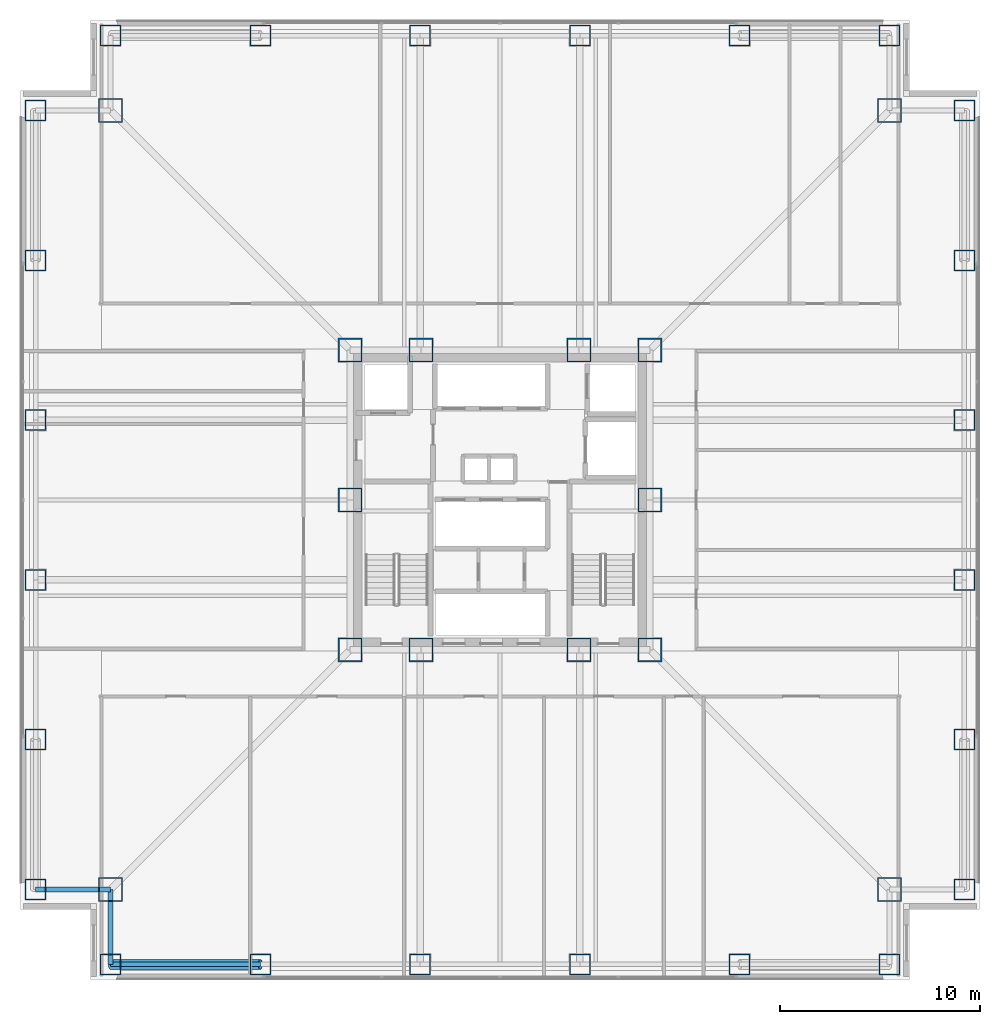
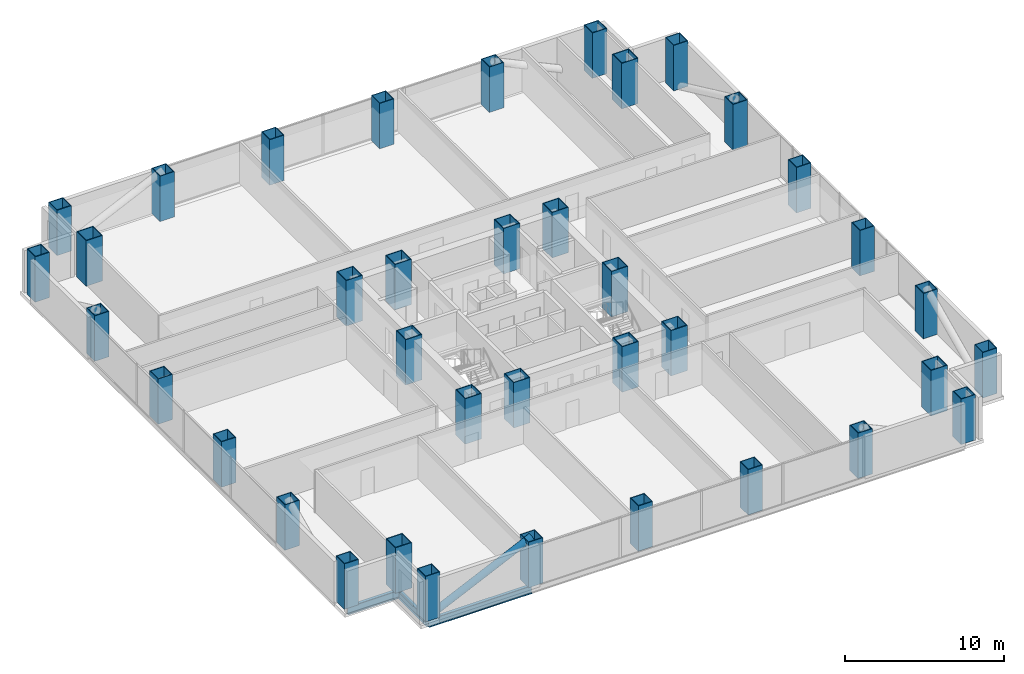
# One storey, part 1 of 15: 38 columns, 3 beams, 1 member.
"""IFC4 building model written with IfcOpenShell, lengths in metres."""

from ifc_helpers import new_model, si_unit, direction, frame, origin, origin_2d, place, context, subcontext, project, spatial, hollow_rectangle, hollow_circle, i_section, extrude, material, material_profile, profile_set, type_object, element, save


model = new_model("IFC4")

# Units and contexts
model_context = context("Model", 3, precision=1e-05, world=origin(), true_north=direction((0.0, 1.0)))
body_context = subcontext(model_context, "Body", "Model", "MODEL_VIEW")
ifc_project = project(units=[si_unit("LENGTHUNIT", "METRE"), si_unit("AREAUNIT", "SQUARE_METRE"), si_unit("VOLUMEUNIT", "CUBIC_METRE"), si_unit("PLANEANGLEUNIT", "RADIAN"), si_unit("MASSUNIT", "GRAM", prefix="KILO")], contexts=[model_context])

# Site, building, storey
site_placement = place(None, origin())
site = spatial("IfcSite", under=ifc_project, at=site_placement, CompositionType="ELEMENT")
building_placement = place(site_placement, origin())
building = spatial("IfcBuilding", under=site, at=building_placement, Name="Trevonay Congress Spire", CompositionType="ELEMENT")
storey_placement = place(building_placement, frame((0.0, 0.0, 44.5)))
storey = spatial("IfcBuildingStorey", under=building, at=storey_placement, Name="L10", CompositionType="ELEMENT", Elevation=44.5)

# Columns
ifc_material = material(Name="Steel ASTM A572 Grade 50", Category="steel")
ifc_material_profile_1 = material_profile(ifc_material, hollow_rectangle(XDim=1.199951171875, YDim=1.199951171875, WallThickness=0.054931640625, at=origin_2d()), Name="BOX 1200x1200x55")
ifc_profile_set_1 = profile_set([ifc_material_profile_1], Name="Steel ASTM A572 Grade 50")
column_type_1 = type_object("IfcColumnType", Name="COL-CORE-BOX1200", PredefinedType="COLUMN", material=ifc_profile_set_1)
for number, where, z_axis, x_axis, name in (
    (1, (-7.5, -7.5, 0.0), (0.0, 0.0, 1.0), (1.0, 0.0, 0.0), "L10 column C02 at CC-SW"),
    (2, (-3.949951171875, -7.5, 0.0), (0.0, 0.0, 1.0), (1.0, 0.0, 0.0), "L10 column C02 at CC-SMW"),
    (3, (3.949951171875, -7.5, 0.0), (0.0, 0.0, 1.0), (1.0, 0.0, 0.0), "L10 column C02 at CC-SME"),
    (4, (7.5, -7.5, 0.0), (0.0, 0.0, 1.0), (1.0, 0.0, 0.0), "L10 column C02 at CC-SE"),
    (5, (7.5, 0.0, 0.0), (0.0, 0.0, 1.0), (1.0, 0.0, 0.0), "L10 column C02 at CC-E"),
    (6, (7.5, 7.5, 0.0), (0.0, 0.0, 1.0), (1.0, 0.0, 0.0), "L10 column C02 at CC-NE"),
    (7, (3.949951171875, 7.5, 0.0), (0.0, 0.0, 1.0), (1.0, 0.0, 0.0), "L10 column C02 at CC-NME"),
    (8, (-3.949951171875, 7.5, 0.0), (0.0, 0.0, 1.0), (1.0, 0.0, 0.0), "L10 column C02 at CC-NMW"),
    (9, (-7.5, 7.5, 0.0), (0.0, 0.0, 1.0), (1.0, 0.0, 0.0), "L10 column C02 at CC-NW"),
    (10, (-7.5, 0.0, 0.0), (0.0, 0.0, 1.0), (1.0, 0.0, 0.0), "L10 column C02 at CC-W"),
):
    element("IfcColumn", number, at=place(storey_placement, frame(where, z_axis=z_axis, x_axis=x_axis)), inside=storey, type_object=column_type_1, Name=name, PredefinedType="COLUMN", context=body_context, shape_type="SweptSolid", body=[
        extrude(hollow_rectangle(XDim=1.199951171875, YDim=1.199951171875, WallThickness=0.054931640625, at=origin_2d()), origin(), (0.0, 0.0, 1.0), 3.5),
    ])
ifc_material_profile_2 = material_profile(ifc_material, hollow_rectangle(XDim=1.199951171875, YDim=1.199951171875, WallThickness=0.054931640625, at=origin_2d()), Name="BOX 1200x1200x55")
ifc_profile_set_2 = profile_set([ifc_material_profile_2], Name="Steel ASTM A572 Grade 50")
column_type_2 = type_object("IfcColumnType", Name="COL-NOTCH-BOX1200", PredefinedType="COLUMN", material=ifc_profile_set_2)
for number, where, z_axis, x_axis, name in (
    (11, (-19.5, -19.5, 0.0), (0.0, 0.0, 1.0), (1.0, 0.0, 0.0), "L10 column C19 at NC-SW"),
    (12, (19.5, -19.5, 0.0), (0.0, 0.0, 1.0), (1.0, 0.0, 0.0), "L10 column C19 at NC-SE"),
    (13, (19.5, 19.5, 0.0), (0.0, 0.0, 1.0), (1.0, 0.0, 0.0), "L10 column C19 at NC-NE"),
    (14, (-19.5, 19.5, 0.0), (0.0, 0.0, 1.0), (1.0, 0.0, 0.0), "L10 column C19 at NC-NW"),
):
    element("IfcColumn", number, at=place(storey_placement, frame(where, z_axis=z_axis, x_axis=x_axis)), inside=storey, type_object=column_type_2, Name=name, PredefinedType="COLUMN", context=body_context, shape_type="SweptSolid", body=[
        extrude(hollow_rectangle(XDim=1.199951171875, YDim=1.199951171875, WallThickness=0.054931640625, at=origin_2d()), origin(), (0.0, 0.0, 1.0), 3.5),
    ])
ifc_material_profile_3 = material_profile(ifc_material, hollow_rectangle(XDim=1.050048828125, YDim=1.050048828125, WallThickness=0.050048828125, at=origin_2d()), Name="BOX 1050x1050x50")
ifc_profile_set_3 = profile_set([ifc_material_profile_3], Name="Steel ASTM A572 Grade 50")
column_type_3 = type_object("IfcColumnType", Name="COL-TUBE-BOX1050", PredefinedType="COLUMN", material=ifc_profile_set_3)
for number, where, z_axis, x_axis, name in (
    (15, (-19.5, -23.25, 0.0), (0.0, 0.0, 1.0), (1.0, 0.0, 0.0), "L10 column C14 at TS-1"),
    (16, (-19.5, 23.25, 0.0), (0.0, 0.0, 1.0), (1.0, 0.0, 0.0), "L10 column C14 at TN-1"),
    (17, (-23.25, -19.5, 0.0), (0.0, 0.0, 1.0), (1.0, 0.0, 0.0), "L10 column C14 at TW-1"),
    (18, (23.25, -19.5, 0.0), (0.0, 0.0, 1.0), (1.0, 0.0, 0.0), "L10 column C14 at TE-1"),
    (19, (-12.0, -23.25, 0.0), (0.0, 0.0, 1.0), (1.0, 0.0, 0.0), "L10 column C14 at TS-2"),
    (20, (-12.0, 23.25, 0.0), (0.0, 0.0, 1.0), (1.0, 0.0, 0.0), "L10 column C14 at TN-2"),
    (21, (-23.25, -12.0, 0.0), (0.0, 0.0, 1.0), (1.0, 0.0, 0.0), "L10 column C14 at TW-2"),
    (22, (23.25, -12.0, 0.0), (0.0, 0.0, 1.0), (1.0, 0.0, 0.0), "L10 column C14 at TE-2"),
    (23, (-4.0, -23.25, 0.0), (0.0, 0.0, 1.0), (1.0, 0.0, 0.0), "L10 column C14 at TS-3"),
    (24, (-4.0, 23.25, 0.0), (0.0, 0.0, 1.0), (1.0, 0.0, 0.0), "L10 column C14 at TN-3"),
    (25, (-23.25, -4.0, 0.0), (0.0, 0.0, 1.0), (1.0, 0.0, 0.0), "L10 column C14 at TW-3"),
    (26, (23.25, -4.0, 0.0), (0.0, 0.0, 1.0), (1.0, 0.0, 0.0), "L10 column C14 at TE-3"),
    (27, (4.0, -23.25, 0.0), (0.0, 0.0, 1.0), (1.0, 0.0, 0.0), "L10 column C14 at TS-4"),
    (28, (4.0, 23.25, 0.0), (0.0, 0.0, 1.0), (1.0, 0.0, 0.0), "L10 column C14 at TN-4"),
    (29, (-23.25, 4.0, 0.0), (0.0, 0.0, 1.0), (1.0, 0.0, 0.0), "L10 column C14 at TW-4"),
    (30, (23.25, 4.0, 0.0), (0.0, 0.0, 1.0), (1.0, 0.0, 0.0), "L10 column C14 at TE-4"),
    (31, (12.0, -23.25, 0.0), (0.0, 0.0, 1.0), (1.0, 0.0, 0.0), "L10 column C14 at TS-5"),
    (32, (12.0, 23.25, 0.0), (0.0, 0.0, 1.0), (1.0, 0.0, 0.0), "L10 column C14 at TN-5"),
    (33, (-23.25, 12.0, 0.0), (0.0, 0.0, 1.0), (1.0, 0.0, 0.0), "L10 column C14 at TW-5"),
    (34, (23.25, 12.0, 0.0), (0.0, 0.0, 1.0), (1.0, 0.0, 0.0), "L10 column C14 at TE-5"),
    (35, (19.5, -23.25, 0.0), (0.0, 0.0, 1.0), (1.0, 0.0, 0.0), "L10 column C14 at TS-6"),
    (36, (19.5, 23.25, 0.0), (0.0, 0.0, 1.0), (1.0, 0.0, 0.0), "L10 column C14 at TN-6"),
    (37, (-23.25, 19.5, 0.0), (0.0, 0.0, 1.0), (1.0, 0.0, 0.0), "L10 column C14 at TW-6"),
    (38, (23.25, 19.5, 0.0), (0.0, 0.0, 1.0), (1.0, 0.0, 0.0), "L10 column C14 at TE-6"),
):
    element("IfcColumn", number, at=place(storey_placement, frame(where, z_axis=z_axis, x_axis=x_axis)), inside=storey, type_object=column_type_3, Name=name, PredefinedType="COLUMN", context=body_context, shape_type="SweptSolid", body=[
        extrude(hollow_rectangle(XDim=1.050048828125, YDim=1.050048828125, WallThickness=0.050048828125, at=origin_2d()), origin(), (0.0, 0.0, 1.0), 3.5),
    ])

# Beams
ifc_material_profile_4 = material_profile(ifc_material, i_section(OverallWidth=0.22998046875, OverallDepth=0.616943359375, WebThickness=0.01318359375, FlangeThickness=0.022216796875, FilletRadius=0.01611328125, at=origin_2d()), Name="W610x140")
ifc_profile_set_4 = profile_set([ifc_material_profile_4], Name="Steel ASTM A572 Grade 50")
beam_type = type_object("IfcBeamType", Name="BM-RING-W610X140", PredefinedType="BEAM", material=ifc_profile_set_4)
beam_placement = place(storey_placement, frame((-19.5, -23.25, -0.55859375), z_axis=(1.0, 0.0, 0.0), x_axis=(0.0, 1.0, 0.0)))
element("IfcBeam", 39, at=beam_placement, inside=storey, type_object=beam_type, Name="L10 structural beam BM-L10-PS1", PredefinedType="BEAM", context=body_context, shape_type="SweptSolid", body=[
    extrude(i_section(OverallWidth=0.22998046875, OverallDepth=0.616943359375, WebThickness=0.01318359375, FlangeThickness=0.022216796875, FilletRadius=0.01611328125, at=origin_2d()), origin(), (0.0, 0.0, 1.0), 7.5),
])
for number, where, z_axis, x_axis, name in (
    (40, (-19.5, -23.25, -0.55859375), (0.0, 1.0, 0.0), (-1.0, 0.0, 0.0), "L10 structural beam BM-L10-N1SW"),
    (41, (-23.25, -19.5, -0.55859375), (1.0, 0.0, 0.0), (0.0, 1.0, 0.0), "L10 structural beam BM-L10-N2SW"),
):
    element("IfcBeam", number, at=place(storey_placement, frame(where, z_axis=z_axis, x_axis=x_axis)), inside=storey, type_object=beam_type, Name=name, PredefinedType="BEAM", context=body_context, shape_type="SweptSolid", body=[
        extrude(i_section(OverallWidth=0.22998046875, OverallDepth=0.616943359375, WebThickness=0.01318359375, FlangeThickness=0.022216796875, FilletRadius=0.01611328125, at=origin_2d()), origin(), (0.0, 0.0, 1.0), 3.75),
    ])

# Member
ifc_material_profile_5 = material_profile(ifc_material, hollow_circle(Radius=0.25390625, WallThickness=0.02490234375, at=origin_2d()), Name="CHS 508x25")
ifc_profile_set_5 = profile_set([ifc_material_profile_5], Name="Steel ASTM A572 Grade 50")
member_type = type_object("IfcMemberType", Name="MBR-TUBE-CHS508", PredefinedType="BRACE", material=ifc_profile_set_5)
member_placement = place(storey_placement, frame((-19.5, -23.25, -0.050048828125), z_axis=(0.906183139995, 0.0, 0.422885465331), x_axis=(0.0, 1.0, 0.0)))
element("IfcMember", 42, at=member_placement, inside=storey, type_object=member_type, Name="L10 perimeter braced-tube diagonal S0", PredefinedType="BRACE", context=body_context, shape_type="SweptSolid", body=[
    extrude(hollow_circle(Radius=0.25390625, WallThickness=0.02490234375, at=origin_2d()), origin(), (0.0, 0.0, 1.0), 8.2763671875),
])

save(model, "model.ifc")
